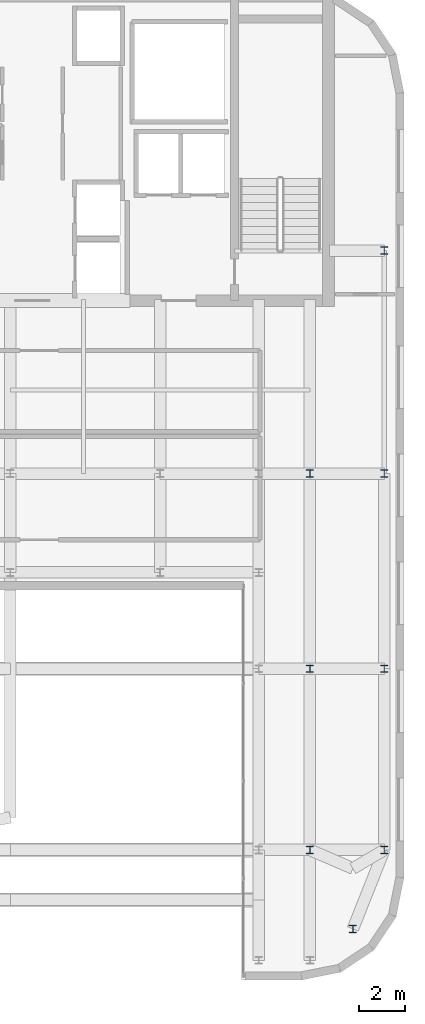
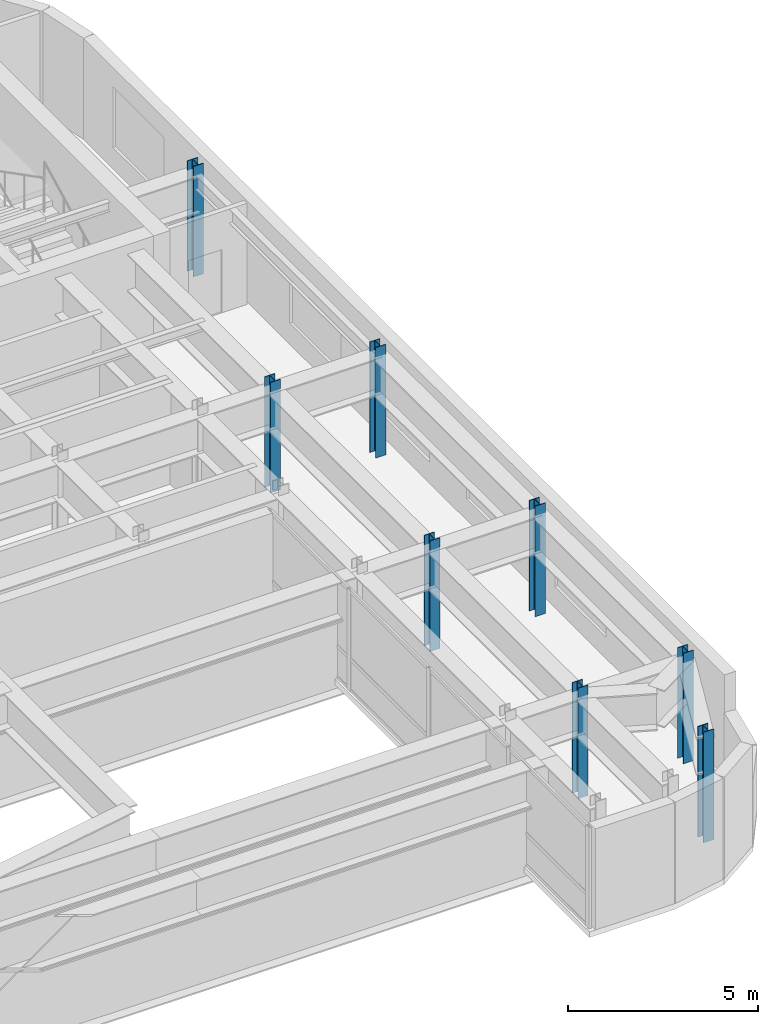
# One storey, part 2 of 21: 8 columns.
"""IFC4 building model written with IfcOpenShell, lengths in metres."""

from ifc_helpers import new_model, si_unit, direction, frame, origin, origin_2d, place, context, subcontext, project, spatial, i_section, extrude, source, transform, mapped, material, material_profile, profile_set, type_object, type_shapes, element, save


model = new_model("IFC4")

# Units and contexts
model_context = context("Model", 3, precision=1e-05, world=origin(), true_north=direction((0.0, 1.0)))
body_context = subcontext(model_context, "Body", "Model", "MODEL_VIEW")
ifc_project = project(units=[si_unit("LENGTHUNIT", "METRE"), si_unit("AREAUNIT", "SQUARE_METRE"), si_unit("VOLUMEUNIT", "CUBIC_METRE"), si_unit("PLANEANGLEUNIT", "RADIAN"), si_unit("MASSUNIT", "GRAM", prefix="KILO")], contexts=[model_context])

# Site, building, storey
site_placement = place(None, origin())
site = spatial("IfcSite", under=ifc_project, at=site_placement, CompositionType="ELEMENT")
building_placement = place(site_placement, origin())
building = spatial("IfcBuilding", under=site, at=building_placement, Name="Tolvann Quenvar Hotel", CompositionType="ELEMENT")
storey_placement = place(building_placement, frame((0.0, 0.0, 266.5)))
storey = spatial("IfcBuildingStorey", under=building, at=storey_placement, Name="L71", CompositionType="ELEMENT", Elevation=266.5)

# Columns
ifc_material = material(Name="Steel Grade 350", Category="steel")
ifc_material_profile_1 = material_profile(ifc_material, i_section(OverallWidth=0.30908203125, OverallDepth=0.321044921875, WebThickness=0.013916015625, FlangeThickness=0.021728515625, FilletRadius=0.0166015625, at=origin_2d()), Name="310UC137")
ifc_profile_set_1 = profile_set([ifc_material_profile_1], Name="Steel Grade 350")
column_type_1 = type_object("IfcColumnType", Name="COL_310UC137", PredefinedType="COLUMN", material=ifc_profile_set_1)
shared_shape_1 = source(origin(), body_context, "Body", "SweptSolid", [
    extrude(i_section(OverallWidth=0.30908203125, OverallDepth=0.321044921875, WebThickness=0.013916015625, FlangeThickness=0.021728515625, FilletRadius=0.0166015625, at=origin_2d()), origin(), (0.0, 0.0, 1.0), 3.550048828125),
])
type_shapes(column_type_1, [shared_shape_1])
for number, where, z_axis, x_axis, name in (
    (1, (36.800048828125, 4.800048828125, 0.0), (0.0, 0.0, 1.0), (1.0, 0.0, 0.0), "Column G2 (L71)"),
    (2, (38.14990234375, 8.199951171875, 0.0), (0.0, 0.0, 1.0), (1.0, 0.0, 0.0), "Column G3 (L71)"),
    (3, (38.14990234375, 16.0, 0.0), (0.0, 0.0, 1.0), (1.0, 0.0, 0.0), "Column G4 (L71)"),
    (4, (38.14990234375, 24.39990234375, 0.0), (0.0, 0.0, 1.0), (1.0, 0.0, 0.0), "Column G5 (L71)"),
    (5, (38.14990234375, 34.0, 0.0), (0.0, 0.0, 1.0), (1.0, 0.0, 0.0), "Column GD6 (L71)"),
):
    element("IfcColumn", number, at=place(storey_placement, frame(where, z_axis=z_axis, x_axis=x_axis)), inside=storey, type_object=column_type_1, Name=name, PredefinedType="COLUMN", context=body_context, shape_type="MappedRepresentation", body=[
        mapped(shared_shape_1, transform((0.0, 0.0, 0.0), x_axis=(1.0, 0.0, 0.0), y_axis=(0.0, 1.0, 0.0), z_axis=(0.0, 0.0, 1.0), scale=1.0)),
    ])
ifc_material_profile_2 = material_profile(ifc_material, i_section(OverallWidth=0.306884765625, OverallDepth=0.31494140625, WebThickness=0.011962890625, FlangeThickness=0.018798828125, FilletRadius=0.0166015625, at=origin_2d()), Name="310UC118")
ifc_profile_set_2 = profile_set([ifc_material_profile_2], Name="Steel Grade 350")
column_type_2 = type_object("IfcColumnType", Name="COL_310UC118", PredefinedType="COLUMN", material=ifc_profile_set_2)
shared_shape_2 = source(origin(), body_context, "Body", "SweptSolid", [
    extrude(i_section(OverallWidth=0.306884765625, OverallDepth=0.31494140625, WebThickness=0.011962890625, FlangeThickness=0.018798828125, FilletRadius=0.0166015625, at=origin_2d()), origin(), (0.0, 0.0, 1.0), 3.550048828125),
])
type_shapes(column_type_2, [shared_shape_2])
for number, where, z_axis, x_axis, name in (
    (6, (34.949951171875, 8.199951171875, 0.0), (0.0, 0.0, 1.0), (1.0, 0.0, 0.0), "Column F3 (L71)"),
    (7, (34.949951171875, 16.0, 0.0), (0.0, 0.0, 1.0), (1.0, 0.0, 0.0), "Column F4 (L71)"),
    (8, (34.949951171875, 24.39990234375, 0.0), (0.0, 0.0, 1.0), (1.0, 0.0, 0.0), "Column F5 (L71)"),
):
    element("IfcColumn", number, at=place(storey_placement, frame(where, z_axis=z_axis, x_axis=x_axis)), inside=storey, type_object=column_type_2, Name=name, PredefinedType="COLUMN", context=body_context, shape_type="MappedRepresentation", body=[
        mapped(shared_shape_2, transform((0.0, 0.0, 0.0), x_axis=(1.0, 0.0, 0.0), y_axis=(0.0, 1.0, 0.0), z_axis=(0.0, 0.0, 1.0), scale=1.0)),
    ])

save(model, "model.ifc")
